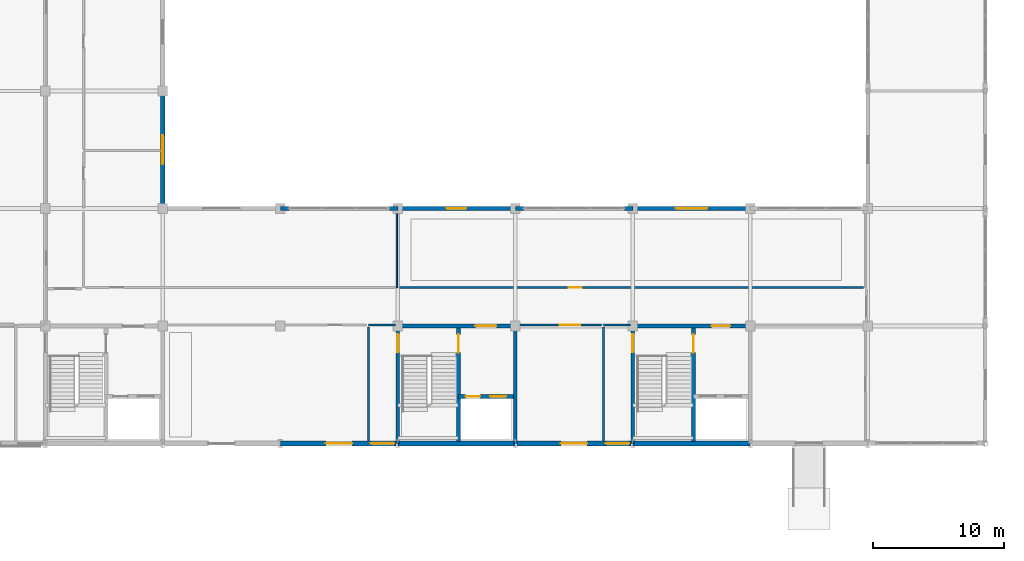
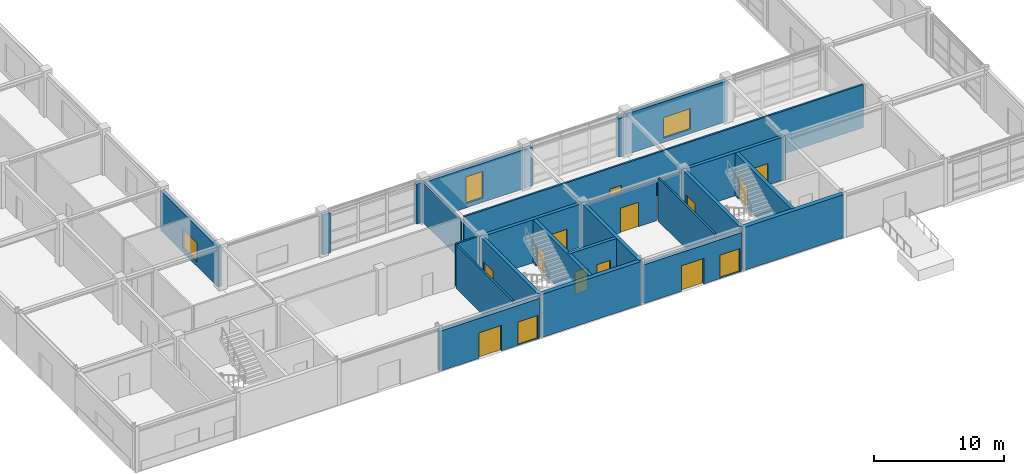
# One storey, part 56 of 72: 26 walls, 14 doors, 3 windows, 17 openings.
"""IFC4 building model written with IfcOpenShell, lengths in metres."""

from ifc_helpers import new_model, si_unit, direction, frame, frame_2d, origin, place, context, subcontext, project, spatial, rectangle, extrude, material, layer, layer_set, type_object, element, fill, save


model = new_model("IFC4")

# Units and contexts
model_context = context("Model", 3, precision=1e-05, world=origin(), true_north=direction((0.0, 1.0)))
body_context = subcontext(model_context, "Body", "Model", "MODEL_VIEW")
ifc_project = project(units=[si_unit("LENGTHUNIT", "METRE"), si_unit("AREAUNIT", "SQUARE_METRE"), si_unit("VOLUMEUNIT", "CUBIC_METRE"), si_unit("PLANEANGLEUNIT", "RADIAN"), si_unit("MASSUNIT", "GRAM", prefix="KILO")], contexts=[model_context])

# Site, building, storey
site_placement = place(None, origin())
site = spatial("IfcSite", under=ifc_project, at=site_placement, CompositionType="ELEMENT")
building_placement = place(site_placement, origin())
building = spatial("IfcBuilding", under=site, at=building_placement, Name="Palais des Congres Ocreval", CompositionType="ELEMENT")
storey_placement = place(building_placement, origin())
storey = spatial("IfcBuildingStorey", under=building, at=storey_placement, Name="L00", CompositionType="ELEMENT", Elevation=0.0)

# Wall
ifc_material_1 = material(Name="Concrete C40/50", Category="concrete")
ifc_layer_1 = layer(ifc_material_1, 0.300048828125)
ifc_layer_set_1 = layer_set([ifc_layer_1], Name="Core Shear Wall 300 Concrete C40/50")
wall_type_1 = type_object("IfcWallType", Name="Core Shear Wall 300 Concrete C40/50", PredefinedType="SHEAR", material=ifc_layer_set_1)
wall_1_placement = place(storey_placement, frame((45.0, 0.0, 0.0), z_axis=(0.0, 0.0, 1.0), x_axis=(0.0, 1.0, 0.0)))
element("IfcWall", 1, at=wall_1_placement, inside=storey, type_object=wall_type_1, Name="Core Shear Wall SC02 L00 E", PredefinedType="SHEAR", context=body_context, shape_type="SweptSolid", body=[
    extrude(rectangle(XDim=9.0, YDim=0.300048828125, at=frame_2d((4.5, 0.0))), origin(), (0.0, 0.0, 1.0), 4.054931640625),
])

# Wall, opening, door
wall_2_placement = place(storey_placement, frame((36.0, 9.0, 0.0), z_axis=(0.0, 0.0, 1.0), x_axis=(1.0, 0.0, 0.0)))
wall_2 = element("IfcWall", 2, at=wall_2_placement, inside=storey, type_object=wall_type_1, Name="Core Shear Wall SC02 L00 N", PredefinedType="SHEAR", context=body_context, shape_type="SweptSolid", body=[
    extrude(rectangle(XDim=9.0, YDim=0.300048828125, at=frame_2d((4.5, 0.0))), origin(), (0.0, 0.0, 1.0), 4.054931640625),
])
opening_1_placement = place(wall_2_placement, frame((5.949951171875, 0.0, 0.0)))
opening_1 = element("IfcOpeningElement", 3, at=opening_1_placement, cuts=wall_2, Name="Opening D02", PredefinedType="OPENING", context=body_context, shape_type="SweptSolid", body=[
    extrude(rectangle(XDim=1.60009765625, YDim=2.10009765625, at=frame_2d((0.800048828125, 1.050048828125))), frame((0.0, 0.159912109375, 0.0), z_axis=(0.0, -1.0, 0.0), x_axis=(1.0, 0.0, 0.0)), (0.0, 0.0, 1.0), 0.320068359375),
])
ifc_material_2 = material(Name="Painted fire-rated steel", Category="steel")
door_type_1 = type_object("IfcDoorType", Name="Firefighting Lobby Rated Door 1600x2100", OperationType="NOTDEFINED", PredefinedType="DOOR", material=ifc_material_2)
door_1_placement = place(opening_1_placement, origin())
door_1 = element("IfcDoor", 4, at=door_1_placement, inside=storey, type_object=door_type_1, Name="Firefighting Lobby Entrance Door SC02 L00", OperationType="DOUBLE_DOOR_SINGLE_SWING", OverallHeight=2.10009765625, OverallWidth=1.60009765625, PredefinedType="DOOR", context=body_context, shape_type="SweptSolid", body=[
    extrude(rectangle(XDim=1.60009765625, YDim=2.10009765625, at=frame_2d((0.800048828125, 1.050048828125))), frame((0.0, 0.02490234375, 0.0), z_axis=(0.0, -1.0, 0.0), x_axis=(1.0, 0.0, 0.0)), (0.0, 0.0, 1.0), 0.050048828125),
])
fill(opening_1, door_1)

wall_3_placement = place(storey_placement, frame((36.0, 0.0, 0.0), z_axis=(0.0, 0.0, 1.0), x_axis=(0.0, 1.0, 0.0)))
wall_3 = element("IfcWall", 5, at=wall_3_placement, inside=storey, type_object=wall_type_1, Name="Core Shear Wall SC02 L00 W", PredefinedType="SHEAR", context=body_context, shape_type="SweptSolid", body=[
    extrude(rectangle(XDim=9.0, YDim=0.300048828125, at=frame_2d((4.5, 0.0))), origin(), (0.0, 0.0, 1.0), 4.054931640625),
])
opening_2_placement = place(wall_3_placement, frame((6.97509765625, 0.0, 0.0)))
opening_2 = element("IfcOpeningElement", 6, at=opening_2_placement, cuts=wall_3, Name="Opening D03", PredefinedType="OPENING", context=body_context, shape_type="SweptSolid", body=[
    extrude(rectangle(XDim=1.39990234375, YDim=2.02001953125, at=frame_2d((0.699951171875, 1.010009765625))), frame((0.0, 0.159912109375, 0.0), z_axis=(0.0, -1.0, 0.0), x_axis=(1.0, 0.0, 0.0)), (0.0, 0.0, 1.0), 0.320068359375),
])
door_type_2 = type_object("IfcDoorType", Name="Core Lobby Rated Door 1400x2020", OperationType="NOTDEFINED", PredefinedType="DOOR", material=ifc_material_2)
door_2_placement = place(opening_2_placement, origin())
door_2 = element("IfcDoor", 7, at=door_2_placement, inside=storey, type_object=door_type_2, Name="Exit Passage Stair Door ST02 L00", OperationType="SINGLE_SWING_RIGHT", OverallHeight=2.02001953125, OverallWidth=1.39990234375, PredefinedType="DOOR", context=body_context, shape_type="SweptSolid", body=[
    extrude(rectangle(XDim=1.39990234375, YDim=2.02001953125, at=frame_2d((0.699951171875, 1.010009765625))), frame((0.0, 0.02490234375, 0.0), z_axis=(0.0, -1.0, 0.0), x_axis=(1.0, 0.0, 0.0)), (0.0, 0.0, 1.0), 0.050048828125),
])
fill(opening_2, door_2)

wall_4_placement = place(storey_placement, frame((40.64990234375, 0.14990234375, 0.0), z_axis=(0.0, 0.0, 1.0), x_axis=(0.0, 1.0, 0.0)))
wall_4 = element("IfcWall", 8, at=wall_4_placement, inside=storey, type_object=wall_type_1, Name="Core Spine Shear Wall SC02 L00", PredefinedType="SHEAR", context=body_context, shape_type="SweptSolid", body=[
    extrude(rectangle(XDim=8.7001953125, YDim=0.300048828125, at=frame_2d((4.35009765625, 0.0))), origin(), (0.0, 0.0, 1.0), 4.054931640625),
])
opening_3_placement = place(wall_4_placement, frame((6.800048828125, 0.0, 0.0)))
opening_3 = element("IfcOpeningElement", 9, at=opening_3_placement, cuts=wall_4, Name="Opening D03", PredefinedType="OPENING", context=body_context, shape_type="SweptSolid", body=[
    extrude(rectangle(XDim=1.39990234375, YDim=2.02001953125, at=frame_2d((0.699951171875, 1.010009765625))), frame((0.0, 0.159912109375, 0.0), z_axis=(0.0, -1.0, 0.0), x_axis=(1.0, 0.0, 0.0)), (0.0, 0.0, 1.0), 0.320068359375),
])
door_3_placement = place(opening_3_placement, origin())
door_3 = element("IfcDoor", 10, at=door_3_placement, inside=storey, type_object=door_type_2, Name="Protected Exit Stair Door ST02 L00", OperationType="SINGLE_SWING_RIGHT", OverallHeight=2.02001953125, OverallWidth=1.39990234375, PredefinedType="DOOR", context=body_context, shape_type="SweptSolid", body=[
    extrude(rectangle(XDim=1.39990234375, YDim=2.02001953125, at=frame_2d((0.699951171875, 1.010009765625))), frame((0.0, 0.02490234375, 0.0), z_axis=(0.0, -1.0, 0.0), x_axis=(1.0, 0.0, 0.0)), (0.0, 0.0, 1.0), 0.050048828125),
])
fill(opening_3, door_3)

# Wall, openings, doors
wall_5_placement = place(storey_placement, frame((40.64990234375, 3.60009765625, 0.0), z_axis=(0.0, 0.0, 1.0), x_axis=(1.0, 0.0, 0.0)))
wall_5 = element("IfcWall", 11, at=wall_5_placement, inside=storey, type_object=wall_type_1, Name="Lift Shaft Front Wall SC02 L00", PredefinedType="SHEAR", context=body_context, shape_type="SweptSolid", body=[
    extrude(rectangle(XDim=4.2001953125, YDim=0.300048828125, at=frame_2d((2.10009765625, 0.0))), origin(), (0.0, 0.0, 1.0), 4.054931640625),
])
opening_4_placement = place(wall_5_placement, frame((0.550048828125, 0.0, 0.0)))
opening_4 = element("IfcOpeningElement", 12, at=opening_4_placement, cuts=wall_5, Name="Opening LD01", PredefinedType="OPENING", context=body_context, shape_type="SweptSolid", body=[
    extrude(rectangle(XDim=1.10009765625, YDim=2.10009765625, at=frame_2d((0.550048828125, 1.050048828125))), frame((0.0, 0.159912109375, 0.0), z_axis=(0.0, -1.0, 0.0), x_axis=(1.0, 0.0, 0.0)), (0.0, 0.0, 1.0), 0.320068359375),
])
opening_5_placement = place(wall_5_placement, frame((2.449951171875, 0.0, 0.0)))
opening_5 = element("IfcOpeningElement", 13, at=opening_5_placement, cuts=wall_5, Name="Opening LD02", PredefinedType="OPENING", context=body_context, shape_type="SweptSolid", body=[
    extrude(rectangle(XDim=1.199951171875, YDim=2.199951171875, at=frame_2d((0.60009765625, 1.10009765625))), frame((0.0, 0.159912109375, 0.0), z_axis=(0.0, -1.0, 0.0), x_axis=(1.0, 0.0, 0.0)), (0.0, 0.0, 1.0), 0.320068359375),
])
ifc_material_3 = material(Name="Stainless steel", Category="steel")
door_type_3 = type_object("IfcDoorType", Name="Firefighting Lift Sliding Landing Door 1100x2100", OperationType="NOTDEFINED", PredefinedType="DOOR", material=ifc_material_3)
door_4_placement = place(opening_4_placement, origin())
door_4 = element("IfcDoor", 14, at=door_4_placement, inside=storey, type_object=door_type_3, Name="Lift Landing Sliding Door FF2 L00", OperationType="DOUBLE_DOOR_SLIDING", OverallHeight=2.10009765625, OverallWidth=1.10009765625, PredefinedType="DOOR", context=body_context, shape_type="SweptSolid", body=[
    extrude(rectangle(XDim=1.10009765625, YDim=2.10009765625, at=frame_2d((0.550048828125, 1.050048828125))), frame((0.0, 0.02490234375, 0.0), z_axis=(0.0, -1.0, 0.0), x_axis=(1.0, 0.0, 0.0)), (0.0, 0.0, 1.0), 0.050048828125),
])
fill(opening_4, door_4)
ifc_material_4 = material(Name="Anodized bronze steel", Category="steel")
door_type_4 = type_object("IfcDoorType", Name="Passenger and Service Lift Sliding Door 1200x2200", OperationType="NOTDEFINED", PredefinedType="DOOR", material=ifc_material_4)
door_5_placement = place(opening_5_placement, origin())
door_5 = element("IfcDoor", 15, at=door_5_placement, inside=storey, type_object=door_type_4, Name="Lift Landing Sliding Door PL2 L00", OperationType="DOUBLE_DOOR_SLIDING", OverallHeight=2.199951171875, OverallWidth=1.199951171875, PredefinedType="DOOR", context=body_context, shape_type="SweptSolid", body=[
    extrude(rectangle(XDim=1.199951171875, YDim=2.199951171875, at=frame_2d((0.60009765625, 1.10009765625))), frame((0.0, 0.02490234375, 0.0), z_axis=(0.0, -1.0, 0.0), x_axis=(1.0, 0.0, 0.0)), (0.0, 0.0, 1.0), 0.050048828125),
])
fill(opening_5, door_5)

# Wall, opening, door
wall_6_placement = place(storey_placement, frame((54.0, 9.0, 0.0), z_axis=(0.0, 0.0, 1.0), x_axis=(1.0, 0.0, 0.0)))
wall_6 = element("IfcWall", 16, at=wall_6_placement, inside=storey, type_object=wall_type_1, Name="Core Shear Wall SC04 L00 N", PredefinedType="SHEAR", context=body_context, shape_type="SweptSolid", body=[
    extrude(rectangle(XDim=9.0, YDim=0.300048828125, at=frame_2d((4.5, 0.0))), origin(), (0.0, 0.0, 1.0), 4.054931640625),
])
opening_6_placement = place(wall_6_placement, frame((6.050048828125, 0.0, 0.0)))
opening_6 = element("IfcOpeningElement", 17, at=opening_6_placement, cuts=wall_6, Name="Opening D03", PredefinedType="OPENING", context=body_context, shape_type="SweptSolid", body=[
    extrude(rectangle(XDim=1.39990234375, YDim=2.02001953125, at=frame_2d((0.699951171875, 1.010009765625))), frame((0.0, 0.159912109375, 0.0), z_axis=(0.0, -1.0, 0.0), x_axis=(1.0, 0.0, 0.0)), (0.0, 0.0, 1.0), 0.320068359375),
])
door_6_placement = place(opening_6_placement, origin())
door_6 = element("IfcDoor", 18, at=door_6_placement, inside=storey, type_object=door_type_2, Name="Lobby Entrance Door SC04 L00", OperationType="DOUBLE_DOOR_SINGLE_SWING", OverallHeight=2.02001953125, OverallWidth=1.39990234375, PredefinedType="DOOR", context=body_context, shape_type="SweptSolid", body=[
    extrude(rectangle(XDim=1.39990234375, YDim=2.02001953125, at=frame_2d((0.699951171875, 1.010009765625))), frame((0.0, 0.02490234375, 0.0), z_axis=(0.0, -1.0, 0.0), x_axis=(1.0, 0.0, 0.0)), (0.0, 0.0, 1.0), 0.050048828125),
])
fill(opening_6, door_6)

wall_7_placement = place(storey_placement, frame((54.0, 0.0, 0.0), z_axis=(0.0, 0.0, 1.0), x_axis=(0.0, 1.0, 0.0)))
wall_7 = element("IfcWall", 19, at=wall_7_placement, inside=storey, type_object=wall_type_1, Name="Core Shear Wall SC04 L00 W", PredefinedType="SHEAR", context=body_context, shape_type="SweptSolid", body=[
    extrude(rectangle(XDim=9.0, YDim=0.300048828125, at=frame_2d((4.5, 0.0))), origin(), (0.0, 0.0, 1.0), 4.054931640625),
])
opening_7_placement = place(wall_7_placement, frame((6.97509765625, 0.0, 0.0)))
opening_7 = element("IfcOpeningElement", 20, at=opening_7_placement, cuts=wall_7, Name="Opening D03", PredefinedType="OPENING", context=body_context, shape_type="SweptSolid", body=[
    extrude(rectangle(XDim=1.39990234375, YDim=2.02001953125, at=frame_2d((0.699951171875, 1.010009765625))), frame((0.0, 0.159912109375, 0.0), z_axis=(0.0, -1.0, 0.0), x_axis=(1.0, 0.0, 0.0)), (0.0, 0.0, 1.0), 0.320068359375),
])
door_7_placement = place(opening_7_placement, origin())
door_7 = element("IfcDoor", 21, at=door_7_placement, inside=storey, type_object=door_type_2, Name="Exit Passage Stair Door ST04 L00", OperationType="SINGLE_SWING_RIGHT", OverallHeight=2.02001953125, OverallWidth=1.39990234375, PredefinedType="DOOR", context=body_context, shape_type="SweptSolid", body=[
    extrude(rectangle(XDim=1.39990234375, YDim=2.02001953125, at=frame_2d((0.699951171875, 1.010009765625))), frame((0.0, 0.02490234375, 0.0), z_axis=(0.0, -1.0, 0.0), x_axis=(1.0, 0.0, 0.0)), (0.0, 0.0, 1.0), 0.050048828125),
])
fill(opening_7, door_7)

wall_8_placement = place(storey_placement, frame((58.64990234375, 0.14990234375, 0.0), z_axis=(0.0, 0.0, 1.0), x_axis=(0.0, 1.0, 0.0)))
wall_8 = element("IfcWall", 22, at=wall_8_placement, inside=storey, type_object=wall_type_1, Name="Core Spine Shear Wall SC04 L00", PredefinedType="SHEAR", context=body_context, shape_type="SweptSolid", body=[
    extrude(rectangle(XDim=8.7001953125, YDim=0.300048828125, at=frame_2d((4.35009765625, 0.0))), origin(), (0.0, 0.0, 1.0), 4.054931640625),
])
opening_8_placement = place(wall_8_placement, frame((6.800048828125, 0.0, 0.0)))
opening_8 = element("IfcOpeningElement", 23, at=opening_8_placement, cuts=wall_8, Name="Opening D03", PredefinedType="OPENING", context=body_context, shape_type="SweptSolid", body=[
    extrude(rectangle(XDim=1.39990234375, YDim=2.02001953125, at=frame_2d((0.699951171875, 1.010009765625))), frame((0.0, 0.159912109375, 0.0), z_axis=(0.0, -1.0, 0.0), x_axis=(1.0, 0.0, 0.0)), (0.0, 0.0, 1.0), 0.320068359375),
])
door_8_placement = place(opening_8_placement, origin())
door_8 = element("IfcDoor", 24, at=door_8_placement, inside=storey, type_object=door_type_2, Name="Protected Exit Stair Door ST04 L00", OperationType="SINGLE_SWING_RIGHT", OverallHeight=2.02001953125, OverallWidth=1.39990234375, PredefinedType="DOOR", context=body_context, shape_type="SweptSolid", body=[
    extrude(rectangle(XDim=1.39990234375, YDim=2.02001953125, at=frame_2d((0.699951171875, 1.010009765625))), frame((0.0, 0.02490234375, 0.0), z_axis=(0.0, -1.0, 0.0), x_axis=(1.0, 0.0, 0.0)), (0.0, 0.0, 1.0), 0.050048828125),
])
fill(opening_8, door_8)

# Walls
ifc_material_5 = material(Name="Gypsum acoustic partition")
ifc_layer_2 = layer(ifc_material_5, 0.159912109375)
ifc_layer_set_2 = layer_set([ifc_layer_2], Name="Corridor Fire Partition 160 Gypsum (Gypsum acoustic partition)")
wall_type_2 = type_object("IfcWallType", Name="Corridor Fire Partition 160 Gypsum", PredefinedType="PARTITIONING", material=ifc_layer_set_2)
wall_9_placement = place(storey_placement, frame((33.75, 9.06494140625, 0.0), z_axis=(0.0, 0.0, 1.0), x_axis=(1.0, 0.0, 0.0)))
element("IfcWall", 25, at=wall_9_placement, inside=storey, type_object=wall_type_2, Name="Interior Partition IW03 L00", PredefinedType="PARTITIONING", context=body_context, shape_type="SweptSolid", body=[
    extrude(rectangle(XDim=2.094970703125, YDim=0.159912109375, at=frame_2d((1.04736328125, 0.0))), origin(), (0.0, 0.0, 1.0), 4.054931640625),
])
wall_10_placement = place(storey_placement, frame((51.75, 9.06494140625, 0.0), z_axis=(0.0, 0.0, 1.0), x_axis=(1.0, 0.0, 0.0)))
element("IfcWall", 26, at=wall_10_placement, inside=storey, type_object=wall_type_2, Name="Interior Partition IW03 L00", PredefinedType="PARTITIONING", context=body_context, shape_type="SweptSolid", body=[
    extrude(rectangle(XDim=2.094970703125, YDim=0.159912109375, at=frame_2d((1.04736328125, 0.0))), origin(), (0.0, 0.0, 1.0), 3.72509765625),
])
for number, where, z_axis, x_axis, name in (
    (27, (33.75, 0.195068359375, 0.0), (0.0, 0.0, 1.0), (0.0, 1.0, 0.0), "Interior Partition IW03 L00"),
    (28, (51.75, 0.195068359375, 0.0), (0.0, 0.0, 1.0), (0.0, 1.0, 0.0), "Interior Partition IW03 L00"),
):
    element("IfcWall", number, at=place(storey_placement, frame(where, z_axis=z_axis, x_axis=x_axis)), inside=storey, type_object=wall_type_2, Name=name, PredefinedType="PARTITIONING", context=body_context, shape_type="SweptSolid", body=[
        extrude(rectangle(XDim=8.71484375, YDim=0.159912109375, at=frame_2d((4.357421875, 0.0))), origin(), (0.0, 0.0, 1.0), 4.054931640625),
    ])

# Wall, opening, door
wall_11_placement = place(storey_placement, frame((45.155029296875, 9.06494140625, 0.0), z_axis=(0.0, 0.0, 1.0), x_axis=(1.0, 0.0, 0.0)))
wall_11 = element("IfcWall", 29, at=wall_11_placement, inside=storey, type_object=wall_type_2, Name="Interior Partition IW03 L00", PredefinedType="PARTITIONING", context=body_context, shape_type="SweptSolid", body=[
    extrude(rectangle(XDim=6.43994140625, YDim=0.159912109375, at=frame_2d((3.219970703125, 0.0))), origin(), (0.0, 0.0, 1.0), 3.72509765625),
])
opening_9_placement = place(wall_11_placement, frame((3.239990234375, 0.0, 0.0)))
opening_9 = element("IfcOpeningElement", 30, at=opening_9_placement, cuts=wall_11, Name="Opening D12", PredefinedType="OPENING", context=body_context, shape_type="SweptSolid", body=[
    extrude(rectangle(XDim=1.60009765625, YDim=2.300048828125, at=frame_2d((0.800048828125, 1.14990234375))), frame((0.0, 0.08984375, 0.0), z_axis=(0.0, -1.0, 0.0), x_axis=(1.0, 0.0, 0.0)), (0.0, 0.0, 1.0), 0.179931640625),
])
ifc_material_6 = material(Name="Solid French oak", Category="wood")
door_type_5 = type_object("IfcDoorType", Name="Meeting Room Acoustic Double Door 1600x2300", OperationType="NOTDEFINED", PredefinedType="DOOR", material=ifc_material_6)
door_9_placement = place(opening_9_placement, origin())
door_9 = element("IfcDoor", 31, at=door_9_placement, inside=storey, type_object=door_type_5, Name="Interior Door D12 L00", OperationType="DOUBLE_DOOR_SINGLE_SWING", OverallHeight=2.300048828125, OverallWidth=1.60009765625, PredefinedType="DOOR", context=body_context, shape_type="SweptSolid", body=[
    extrude(rectangle(XDim=1.60009765625, YDim=2.300048828125, at=frame_2d((0.800048828125, 1.14990234375))), frame((0.0, 0.02490234375, 0.0), z_axis=(0.0, -1.0, 0.0), x_axis=(1.0, 0.0, 0.0)), (0.0, 0.0, 1.0), 0.050048828125),
])
fill(opening_9, door_9)

wall_12_placement = place(storey_placement, frame((36.090087890625, 11.93505859375, 0.0), z_axis=(0.0, 0.0, 1.0), x_axis=(1.0, 0.0, 0.0)))
wall_12 = element("IfcWall", 32, at=wall_12_placement, inside=storey, type_object=wall_type_2, Name="Interior Partition IW03 L00", PredefinedType="PARTITIONING", context=body_context, shape_type="SweptSolid", body=[
    extrude(rectangle(XDim=35.579833984375, YDim=0.159912109375, at=frame_2d((17.7900390625, 0.0))), origin(), (0.0, 0.0, 1.0), 4.054931640625),
])
opening_10_placement = place(wall_12_placement, frame((13.0205078125, 0.0, 0.0)))
opening_10 = element("IfcOpeningElement", 33, at=opening_10_placement, cuts=wall_12, Name="Opening D10", PredefinedType="OPENING", context=body_context, shape_type="SweptSolid", body=[
    extrude(rectangle(XDim=1.0, YDim=2.10009765625, at=frame_2d((0.5, 1.050048828125))), frame((0.0, 0.08984375, 0.0), z_axis=(0.0, -1.0, 0.0), x_axis=(1.0, 0.0, 0.0)), (0.0, 0.0, 1.0), 0.179931640625),
])
ifc_material_7 = material(Name="Painted steel", Category="steel")
door_type_6 = type_object("IfcDoorType", Name="Service and Pantry Door 1000x2100", OperationType="NOTDEFINED", PredefinedType="DOOR", material=ifc_material_7)
door_10_placement = place(opening_10_placement, origin())
door_10 = element("IfcDoor", 34, at=door_10_placement, inside=storey, type_object=door_type_6, Name="Interior Door D10 L00", OperationType="SINGLE_SWING_LEFT", OverallHeight=2.10009765625, OverallWidth=1.0, PredefinedType="DOOR", context=body_context, shape_type="SweptSolid", body=[
    extrude(rectangle(XDim=1.0, YDim=2.10009765625, at=frame_2d((0.5, 1.050048828125))), frame((0.0, 0.02490234375, 0.0), z_axis=(0.0, -1.0, 0.0), x_axis=(1.0, 0.0, 0.0)), (0.0, 0.0, 1.0), 0.050048828125),
])
fill(opening_10, door_10)

# Wall
ifc_layer_3 = layer(ifc_material_1, 0.3798828125)
ifc_layer_set_3 = layer_set([ifc_layer_3], Name="Lutetian Limestone Street Wall 380 Concrete C40/50")
wall_type_3 = type_object("IfcWallType", Name="Lutetian Limestone Street Wall 380 Concrete C40/50", PredefinedType="SOLIDWALL", material=ifc_layer_set_3)
wall_13_placement = place(storey_placement, frame((63.0, 0.0, 0.0), z_axis=(0.0, 0.0, 1.0), x_axis=(-1.0, 0.0, 0.0)))
element("IfcWall", 35, at=wall_13_placement, inside=storey, type_object=wall_type_3, Name="Core Perimeter Shear Wall EW03 SC04 L00", PredefinedType="SOLIDWALL", context=body_context, shape_type="SweptSolid", body=[
    extrude(rectangle(XDim=9.0, YDim=0.3798828125, at=frame_2d((4.5, 0.0))), origin(), (0.0, 0.0, 1.0), 4.054931640625),
])

# Wall, openings, doors
wall_14_placement = place(storey_placement, frame((53.8701171875, 0.0, 0.0), z_axis=(0.0, 0.0, 1.0), x_axis=(-1.0, 0.0, 0.0)))
wall_14 = element("IfcWall", 36, at=wall_14_placement, inside=storey, type_object=wall_type_3, Name="Exterior Wall EW03 L00", PredefinedType="SOLIDWALL", context=body_context, shape_type="SweptSolid", body=[
    extrude(rectangle(XDim=8.740234375, YDim=0.3798828125, at=frame_2d((4.3701171875, 0.0))), origin(), (0.0, 0.0, 1.0), 3.655029296875),
])
opening_11_placement = place(wall_14_placement, frame((0.1298828125, 0.0, 0.0)))
opening_11 = element("IfcOpeningElement", 37, at=opening_11_placement, cuts=wall_14, Name="Opening ED04", PredefinedType="OPENING", context=body_context, shape_type="SweptSolid", body=[
    extrude(rectangle(XDim=1.800048828125, YDim=2.199951171875, at=frame_2d((0.89990234375, 1.10009765625))), frame((0.0, 0.199951171875, 0.0), z_axis=(0.0, -1.0, 0.0), x_axis=(1.0, 0.0, 0.0)), (0.0, 0.0, 1.0), 0.39990234375),
])
opening_12_placement = place(wall_14_placement, frame((3.3701171875, 0.0, 0.0)))
opening_12 = element("IfcOpeningElement", 38, at=opening_12_placement, cuts=wall_14, Name="Opening ED01", PredefinedType="OPENING", context=body_context, shape_type="SweptSolid", body=[
    extrude(rectangle(XDim=2.0, YDim=2.39990234375, at=frame_2d((1.0, 1.199951171875))), frame((0.0, 0.199951171875, 0.0), z_axis=(0.0, -1.0, 0.0), x_axis=(1.0, 0.0, 0.0)), (0.0, 0.0, 1.0), 0.39990234375),
])
ifc_material_8 = material(Name="Anodized bronze aluminium and safety glass", Category="aluminium")
door_type_7 = type_object("IfcDoorType", Name="Main Street Pedestrian Exit Door 2000x2400", OperationType="NOTDEFINED", PredefinedType="DOOR", material=ifc_material_8)
door_11_placement = place(opening_12_placement, origin())
door_11 = element("IfcDoor", 39, at=door_11_placement, inside=storey, type_object=door_type_7, Name="Pedestrian Final Exit Door E02", OperationType="DOUBLE_DOOR_SINGLE_SWING", OverallHeight=2.39990234375, OverallWidth=2.0, PredefinedType="DOOR", context=body_context, shape_type="SweptSolid", body=[
    extrude(rectangle(XDim=2.0, YDim=2.39990234375, at=frame_2d((1.0, 1.199951171875))), frame((0.0, 0.02490234375, 0.0), z_axis=(0.0, -1.0, 0.0), x_axis=(1.0, 0.0, 0.0)), (0.0, 0.0, 1.0), 0.050048828125),
])
fill(opening_12, door_11)
door_type_8 = type_object("IfcDoorType", Name="Stair Street Discharge Door 1800x2200", OperationType="NOTDEFINED", PredefinedType="DOOR", material=ifc_material_8)
door_12_placement = place(opening_11_placement, origin())
door_12 = element("IfcDoor", 40, at=door_12_placement, inside=storey, type_object=door_type_8, Name="Exit Passage Final Exit Discharge Door ST04", OperationType="DOUBLE_DOOR_SINGLE_SWING", OverallHeight=2.199951171875, OverallWidth=1.800048828125, PredefinedType="DOOR", context=body_context, shape_type="SweptSolid", body=[
    extrude(rectangle(XDim=1.800048828125, YDim=2.199951171875, at=frame_2d((0.89990234375, 1.10009765625))), frame((0.0, 0.02490234375, 0.0), z_axis=(0.0, -1.0, 0.0), x_axis=(1.0, 0.0, 0.0)), (0.0, 0.0, 1.0), 0.050048828125),
])
fill(opening_11, door_12)

# Wall
wall_15_placement = place(storey_placement, frame((45.0, 0.0, 0.0), z_axis=(0.0, 0.0, 1.0), x_axis=(-1.0, 0.0, 0.0)))
element("IfcWall", 41, at=wall_15_placement, inside=storey, type_object=wall_type_3, Name="Core Perimeter Shear Wall EW03 SC02 L00", PredefinedType="SOLIDWALL", context=body_context, shape_type="SweptSolid", body=[
    extrude(rectangle(XDim=9.0, YDim=0.3798828125, at=frame_2d((4.5, 0.0))), origin(), (0.0, 0.0, 1.0), 4.054931640625),
])

# Wall, openings, doors
wall_16_placement = place(storey_placement, frame((35.8701171875, 0.0, 0.0), z_axis=(0.0, 0.0, 1.0), x_axis=(-1.0, 0.0, 0.0)))
wall_16 = element("IfcWall", 42, at=wall_16_placement, inside=storey, type_object=wall_type_3, Name="Exterior Wall EW03 L00", PredefinedType="SOLIDWALL", context=body_context, shape_type="SweptSolid", body=[
    extrude(rectangle(XDim=8.8701171875, YDim=0.3798828125, at=frame_2d((4.43505859375, 0.0))), origin(), (0.0, 0.0, 1.0), 3.7548828125),
])
opening_13_placement = place(wall_16_placement, frame((0.1298828125, 0.0, 0.0)))
opening_13 = element("IfcOpeningElement", 43, at=opening_13_placement, cuts=wall_16, Name="Opening ED04", PredefinedType="OPENING", context=body_context, shape_type="SweptSolid", body=[
    extrude(rectangle(XDim=1.800048828125, YDim=2.199951171875, at=frame_2d((0.89990234375, 1.10009765625))), frame((0.0, 0.199951171875, 0.0), z_axis=(0.0, -1.0, 0.0), x_axis=(1.0, 0.0, 0.0)), (0.0, 0.0, 1.0), 0.39990234375),
])
opening_14_placement = place(wall_16_placement, frame((3.3701171875, 0.0, 0.0)))
opening_14 = element("IfcOpeningElement", 44, at=opening_14_placement, cuts=wall_16, Name="Opening ED01", PredefinedType="OPENING", context=body_context, shape_type="SweptSolid", body=[
    extrude(rectangle(XDim=2.0, YDim=2.39990234375, at=frame_2d((1.0, 1.199951171875))), frame((0.0, 0.199951171875, 0.0), z_axis=(0.0, -1.0, 0.0), x_axis=(1.0, 0.0, 0.0)), (0.0, 0.0, 1.0), 0.39990234375),
])
door_13_placement = place(opening_14_placement, origin())
door_13 = element("IfcDoor", 45, at=door_13_placement, inside=storey, type_object=door_type_7, Name="Pedestrian Final Exit Door E03", OperationType="DOUBLE_DOOR_SINGLE_SWING", OverallHeight=2.39990234375, OverallWidth=2.0, PredefinedType="DOOR", context=body_context, shape_type="SweptSolid", body=[
    extrude(rectangle(XDim=2.0, YDim=2.39990234375, at=frame_2d((1.0, 1.199951171875))), frame((0.0, 0.02490234375, 0.0), z_axis=(0.0, -1.0, 0.0), x_axis=(1.0, 0.0, 0.0)), (0.0, 0.0, 1.0), 0.050048828125),
])
fill(opening_14, door_13)
door_14_placement = place(opening_13_placement, origin())
door_14 = element("IfcDoor", 46, at=door_14_placement, inside=storey, type_object=door_type_8, Name="Exit Passage Final Exit Discharge Door ST02", OperationType="DOUBLE_DOOR_SINGLE_SWING", OverallHeight=2.199951171875, OverallWidth=1.800048828125, PredefinedType="DOOR", context=body_context, shape_type="SweptSolid", body=[
    extrude(rectangle(XDim=1.800048828125, YDim=2.199951171875, at=frame_2d((0.89990234375, 1.10009765625))), frame((0.0, 0.02490234375, 0.0), z_axis=(0.0, -1.0, 0.0), x_axis=(1.0, 0.0, 0.0)), (0.0, 0.0, 1.0), 0.050048828125),
])
fill(opening_13, door_14)

# Wall, opening, window
ifc_layer_4 = layer(ifc_material_1, 0.340087890625)
ifc_layer_set_4 = layer_set([ifc_layer_4], Name="Ochre Mineral-Lime Courtyard Wall 340 Concrete C40/50")
wall_type_4 = type_object("IfcWallType", Name="Ochre Mineral-Lime Courtyard Wall 340 Concrete C40/50", PredefinedType="SOLIDWALL", material=ifc_layer_set_4)
wall_17_placement = place(storey_placement, frame((18.0, 27.0, 0.0), z_axis=(0.0, 0.0, 1.0), x_axis=(0.0, -1.0, 0.0)))
wall_17 = element("IfcWall", 47, at=wall_17_placement, inside=storey, type_object=wall_type_4, Name="Exterior Wall EW04 L00", PredefinedType="SOLIDWALL", context=body_context, shape_type="SweptSolid", body=[
    extrude(rectangle(XDim=8.844970703125, YDim=0.340087890625, at=frame_2d((4.42236328125, 0.0))), origin(), (0.0, 0.0, 1.0), 3.7548828125),
])
opening_15_placement = place(wall_17_placement, frame((3.39990234375, 0.0, 0.39990234375)))
opening_15 = element("IfcOpeningElement", 48, at=opening_15_placement, cuts=wall_17, Name="Opening WN13", PredefinedType="OPENING", context=body_context, shape_type="SweptSolid", body=[
    extrude(rectangle(XDim=2.199951171875, YDim=1.800048828125, at=frame_2d((1.10009765625, 0.89990234375))), frame((0.0, 0.179931640625, 0.0), z_axis=(0.0, -1.0, 0.0), x_axis=(1.0, 0.0, 0.0)), (0.0, 0.0, 1.0), 0.360107421875),
])
ifc_material_9 = material(Name="Anodized bronze aluminium and low-E glass", Category="glass")
window_type_1 = type_object("IfcWindowType", Name="Seminar Facade Window 2200x1800", PartitioningType="SINGLE_PANEL", PredefinedType="WINDOW", material=ifc_material_9)
window_1_placement = place(opening_15_placement, origin())
window_1 = element("IfcWindow", 49, at=window_1_placement, inside=storey, type_object=window_type_1, Name="Facade Window WN13", OverallHeight=1.800048828125, OverallWidth=2.199951171875, PartitioningType="SINGLE_PANEL", PredefinedType="WINDOW", context=body_context, shape_type="SweptSolid", body=[
    extrude(rectangle(XDim=2.199951171875, YDim=1.800048828125, at=frame_2d((1.10009765625, 0.89990234375))), frame((0.0, 0.030029296875, 0.0), z_axis=(0.0, -1.0, 0.0), x_axis=(1.0, 0.0, 0.0)), (0.0, 0.0, 1.0), 0.06005859375),
])
fill(opening_15, window_1)

# Walls
for number, where, z_axis, x_axis, name in (
    (50, (27.0, 18.0, 0.0), (0.0, 0.0, 1.0), (1.0, 0.0, 0.0), "Facade Pier EW04 L00"),
    (51, (35.35009765625, 18.0, 0.0), (0.0, 0.0, 1.0), (1.0, 0.0, 0.0), "Facade Pier EW04 L00"),
):
    element("IfcWall", number, at=place(storey_placement, frame(where, z_axis=z_axis, x_axis=x_axis)), inside=storey, type_object=wall_type_4, Name=name, PredefinedType="SOLIDWALL", context=body_context, shape_type="SweptSolid", body=[
        extrude(rectangle(XDim=0.64990234375, YDim=0.340087890625, at=frame_2d((0.324951171875, 0.0))), origin(), (0.0, 0.0, 1.0), 3.7548828125),
    ])

# Wall, opening, window
wall_18_placement = place(storey_placement, frame((36.0, 18.0, 0.0), z_axis=(0.0, 0.0, 1.0), x_axis=(1.0, 0.0, 0.0)))
wall_18 = element("IfcWall", 52, at=wall_18_placement, inside=storey, type_object=wall_type_4, Name="Exterior Wall EW04 L00", PredefinedType="SOLIDWALL", context=body_context, shape_type="SweptSolid", body=[
    extrude(rectangle(XDim=9.0, YDim=0.340087890625, at=frame_2d((4.5, 0.0))), origin(), (0.0, 0.0, 1.0), 3.695068359375),
])
opening_16_placement = place(wall_18_placement, frame((3.75, 0.0, 0.39990234375)))
opening_16 = element("IfcOpeningElement", 53, at=opening_16_placement, cuts=wall_18, Name="Opening WN16", PredefinedType="OPENING", context=body_context, shape_type="SweptSolid", body=[
    extrude(rectangle(XDim=1.5, YDim=2.5, at=frame_2d((0.75, 1.25))), frame((0.0, 0.179931640625, 0.0), z_axis=(0.0, -1.0, 0.0), x_axis=(1.0, 0.0, 0.0)), (0.0, 0.0, 1.0), 0.360107421875),
])
window_type_2 = type_object("IfcWindowType", Name="Congress Foyer Tall Window 1500x2500", PartitioningType="SINGLE_PANEL", PredefinedType="WINDOW", material=ifc_material_9)
window_2_placement = place(opening_16_placement, origin())
window_2 = element("IfcWindow", 54, at=window_2_placement, inside=storey, type_object=window_type_2, Name="Facade Window WN16", OverallHeight=2.5, OverallWidth=1.5, PartitioningType="SINGLE_PANEL", PredefinedType="WINDOW", context=body_context, shape_type="SweptSolid", body=[
    extrude(rectangle(XDim=1.5, YDim=2.5, at=frame_2d((0.75, 1.25))), frame((0.0, 0.030029296875, 0.0), z_axis=(0.0, -1.0, 0.0), x_axis=(1.0, 0.0, 0.0)), (0.0, 0.0, 1.0), 0.06005859375),
])
fill(opening_16, window_2)

# Walls
for number, where, z_axis, x_axis, name in (
    (55, (45.0, 18.0, 0.0), (0.0, 0.0, 1.0), (1.0, 0.0, 0.0), "Facade Pier EW04 L00"),
    (56, (53.35009765625, 18.0, 0.0), (0.0, 0.0, 1.0), (1.0, 0.0, 0.0), "Facade Pier EW04 L00"),
):
    element("IfcWall", number, at=place(storey_placement, frame(where, z_axis=z_axis, x_axis=x_axis)), inside=storey, type_object=wall_type_4, Name=name, PredefinedType="SOLIDWALL", context=body_context, shape_type="SweptSolid", body=[
        extrude(rectangle(XDim=0.64990234375, YDim=0.340087890625, at=frame_2d((0.324951171875, 0.0))), origin(), (0.0, 0.0, 1.0), 3.655029296875),
    ])

# Wall, opening, window
wall_19_placement = place(storey_placement, frame((54.0, 18.0, 0.0), z_axis=(0.0, 0.0, 1.0), x_axis=(1.0, 0.0, 0.0)))
wall_19 = element("IfcWall", 57, at=wall_19_placement, inside=storey, type_object=wall_type_4, Name="Exterior Wall EW04 L00", PredefinedType="SOLIDWALL", context=body_context, shape_type="SweptSolid", body=[
    extrude(rectangle(XDim=9.0, YDim=0.340087890625, at=frame_2d((4.5, 0.0))), origin(), (0.0, 0.0, 1.0), 3.824951171875),
])
opening_17_placement = place(wall_19_placement, frame((3.300048828125, 0.0, 0.39990234375)))
opening_17 = element("IfcOpeningElement", 58, at=opening_17_placement, cuts=wall_19, Name="Opening WN03", PredefinedType="OPENING", context=body_context, shape_type="SweptSolid", body=[
    extrude(rectangle(XDim=2.39990234375, YDim=1.949951171875, at=frame_2d((1.199951171875, 0.97509765625))), frame((0.0, 0.179931640625, 0.0), z_axis=(0.0, -1.0, 0.0), x_axis=(1.0, 0.0, 0.0)), (0.0, 0.0, 1.0), 0.360107421875),
])
window_type_3 = type_object("IfcWindowType", Name="Suite Panoramic Window 2400x1950", PartitioningType="SINGLE_PANEL", PredefinedType="WINDOW", material=ifc_material_9)
window_3_placement = place(opening_17_placement, origin())
window_3 = element("IfcWindow", 59, at=window_3_placement, inside=storey, type_object=window_type_3, Name="Facade Window WN03", OverallHeight=1.949951171875, OverallWidth=2.39990234375, PartitioningType="SINGLE_PANEL", PredefinedType="WINDOW", context=body_context, shape_type="SweptSolid", body=[
    extrude(rectangle(XDim=2.39990234375, YDim=1.949951171875, at=frame_2d((1.199951171875, 0.97509765625))), frame((0.0, 0.030029296875, 0.0), z_axis=(0.0, -1.0, 0.0), x_axis=(1.0, 0.0, 0.0)), (0.0, 0.0, 1.0), 0.06005859375),
])
fill(opening_17, window_3)

# Wall
ifc_material_10 = material(Name="Gypsum board partition")
ifc_layer_5 = layer(ifc_material_10, 0.1201171875)
ifc_layer_set_5 = layer_set([ifc_layer_5], Name="Suite Subdivision Partition 120 Gypsum (Gypsum board partition)")
wall_type_5 = type_object("IfcWallType", Name="Suite Subdivision Partition 120 Gypsum", PredefinedType="PARTITIONING", material=ifc_layer_set_5)
wall_20_placement = place(storey_placement, frame((35.93505859375, 11.93994140625, 0.0), z_axis=(0.0, 0.0, 1.0), x_axis=(0.0, 1.0, 0.0)))
element("IfcWall", 60, at=wall_20_placement, inside=storey, type_object=wall_type_5, Name="Interior Partition IW04 L00", PredefinedType="PARTITIONING", context=body_context, shape_type="SweptSolid", body=[
    extrude(rectangle(XDim=5.885009765625, YDim=0.1201171875, at=frame_2d((2.9423828125, 0.0))), origin(), (0.0, 0.0, 1.0), 3.764892578125),
])

save(model, "model.ifc")
